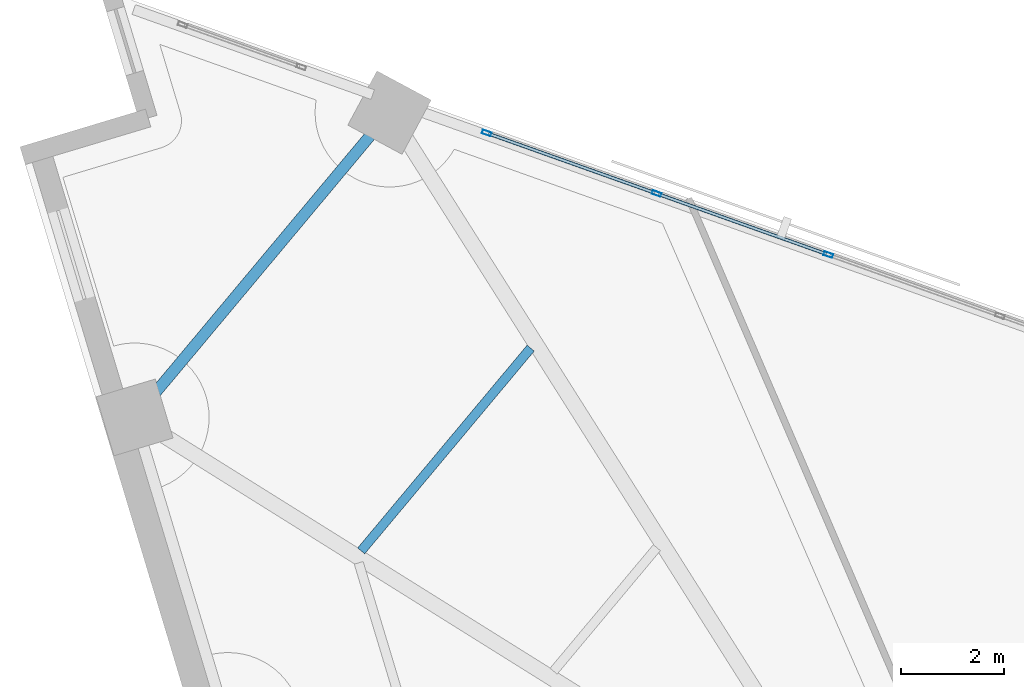
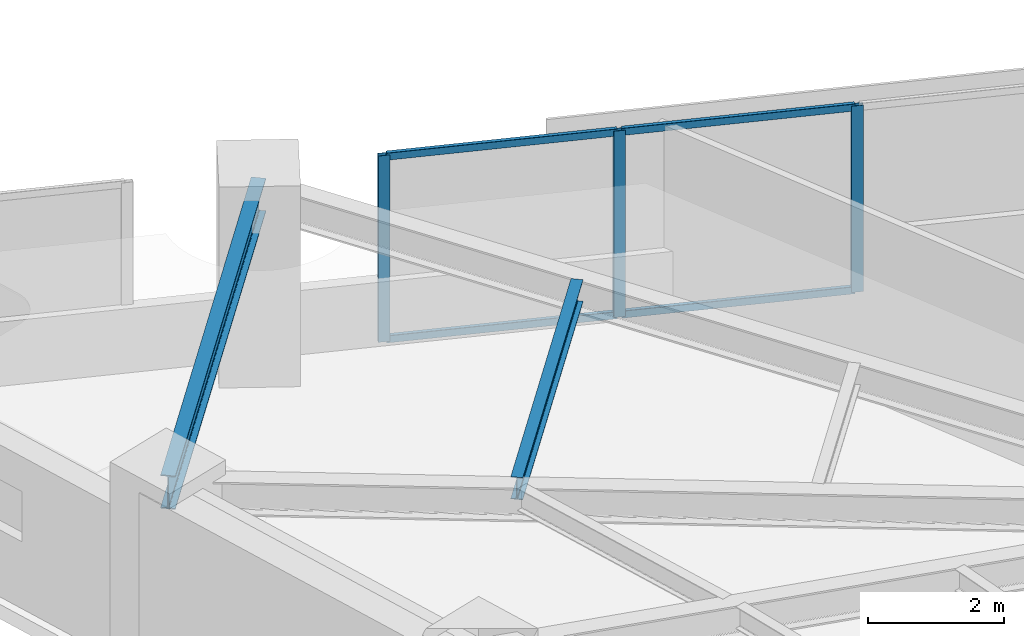
# One storey, part 6 of 14: 7 members, 2 beams, 1 element without a shape of its own.
"""IFC4 building model written with IfcOpenShell, lengths in metres."""

from ifc_helpers import new_model, si_unit, direction, frame, origin, origin_2d, place, context, subcontext, project, spatial, hollow_rectangle, i_section, extrude, material, material_profile, profile_set, type_object, element, aggregate, save


model = new_model("IFC4")

# Units and contexts
model_context = context("Model", 3, precision=1e-05, world=origin(), true_north=direction((0.0, 1.0)))
body_context = subcontext(model_context, "Body", "Model", "MODEL_VIEW")
ifc_project = project(units=[si_unit("LENGTHUNIT", "METRE"), si_unit("AREAUNIT", "SQUARE_METRE"), si_unit("VOLUMEUNIT", "CUBIC_METRE"), si_unit("PLANEANGLEUNIT", "RADIAN"), si_unit("MASSUNIT", "GRAM", prefix="KILO")], contexts=[model_context])

# Site, building, storey
site_placement = place(None, origin())
site = spatial("IfcSite", under=ifc_project, at=site_placement, CompositionType="ELEMENT")
building_placement = place(site_placement, origin())
building = spatial("IfcBuilding", under=site, at=building_placement, Name="Narakoshi Arena Tower", CompositionType="ELEMENT")
storey_placement = place(building_placement, frame((0.0, 0.0, 135.89990234375)))
storey = spatial("IfcBuildingStorey", under=building, at=storey_placement, Name="L36", CompositionType="ELEMENT", Elevation=135.89990234375)

# Beams
ifc_material_1 = material(Name="Structural steel S355J2", Category="steel")
ifc_material_profile_1 = material_profile(ifc_material_1, i_section(OverallWidth=0.219970703125, OverallDepth=0.60009765625, WebThickness=0.011962890625, FlangeThickness=0.01904296875, FilletRadius=0.02392578125, at=origin_2d()), Name="IPE600")
ifc_profile_set_1 = profile_set([ifc_material_profile_1], Name="Structural steel S355J2")
beam_type_1 = type_object("IfcBeamType", Name="BM-EDGE-600", PredefinedType="BEAM", material=ifc_profile_set_1)
beam_1_placement = place(storey_placement, frame((62.545166015625, 71.4501953125, 3.0400390625), z_axis=(-0.641406030011, -0.767201606272, 0.0), x_axis=(0.767201606272, -0.641406030011, 0.0)))
element("IfcBeam", 1, at=beam_1_placement, inside=storey, type_object=beam_type_1, Name="L36 Perimeter Edge Girder 09", PredefinedType="BEAM", context=body_context, shape_type="SweptSolid", body=[
    extrude(i_section(OverallWidth=0.219970703125, OverallDepth=0.60009765625, WebThickness=0.011962890625, FlangeThickness=0.01904296875, FilletRadius=0.02392578125, at=origin_2d()), origin(), (0.0, 0.0, 1.0), 7.73974609375),
])
ifc_material_profile_2 = material_profile(ifc_material_1, i_section(OverallWidth=0.179931640625, OverallDepth=0.39990234375, WebThickness=0.008544921875, FlangeThickness=0.013427734375, FilletRadius=0.02099609375, at=origin_2d()), Name="IPE400")
ifc_profile_set_2 = profile_set([ifc_material_profile_2], Name="Structural steel S355J2")
beam_type_2 = type_object("IfcBeamType", Name="BM-SEC-400", PredefinedType="JOIST", material=ifc_profile_set_2)
beam_2_placement = place(storey_placement, frame((65.295166015625, 66.861572265625, 3.14013671875), z_axis=(-0.641419724151, -0.767190157308, 0.0), x_axis=(0.767190157308, -0.641419724151, 0.0)))
element("IfcBeam", 2, at=beam_2_placement, inside=storey, type_object=beam_type_2, Name="L36 Composite Secondary Floor Joist 08", PredefinedType="JOIST", context=body_context, shape_type="SweptSolid", body=[
    extrude(i_section(OverallWidth=0.179931640625, OverallDepth=0.39990234375, WebThickness=0.008544921875, FlangeThickness=0.013427734375, FilletRadius=0.02099609375, at=origin_2d()), origin(), (0.0, 0.0, 1.0), 5.14794921875),
])

# Curtain wall, members
ifc_material_2 = material(Name="Anodised bronze aluminium 6063-T6", Category="aluminium")
curtain_wall_type = type_object("IfcCurtainWallType", Name="CW-HYP-MID", PredefinedType="NOTDEFINED", material=ifc_material_2)
curtain_wall_placement = place(storey_placement, origin())
curtain_wall = element("IfcCurtainWall", 3, at=curtain_wall_placement, inside=storey, type_object=curtain_wall_type, Name="L36 Folded Hypotenuse Curtain Wall 2-1", PredefinedType="NOTDEFINED")
ifc_material_profile_3 = material_profile(ifc_material_2, hollow_rectangle(XDim=0.074951171875, YDim=0.179931640625, WallThickness=0.00390625, OuterFilletRadius=0.0048828125, at=origin_2d()), Name="MUL180x75x4")
ifc_profile_set_3 = profile_set([ifc_material_profile_3], Name="Anodised bronze aluminium 6063-T6")
member_type_1 = type_object("IfcMemberType", Name="MEM-MUL-180", PredefinedType="MULLION", material=ifc_profile_set_3)
member_1_placement = place(storey_placement, frame((71.092529296875, 68.68212890625, 0.0), z_axis=(0.0, 0.0, 1.0), x_axis=(-0.335518297139, -0.94203368957, 0.0)))
member_1 = element("IfcMember", 4, at=member_1_placement, type_object=member_type_1, Name="CW-02 mullion 6", PredefinedType="MULLION", context=body_context, shape_type="SweptSolid", body=[
    extrude(hollow_rectangle(XDim=0.074951171875, YDim=0.179931640625, WallThickness=0.00390625, OuterFilletRadius=0.0048828125, at=origin_2d()), origin(), (0.0, 0.0, 1.0), 3.340087890625),
])
member_2_placement = place(storey_placement, frame((67.748046875, 69.873291015625, 0.0), z_axis=(0.0, 0.0, 1.0), x_axis=(-0.335518297139, -0.94203368957, 0.0)))
member_2 = element("IfcMember", 5, at=member_2_placement, type_object=member_type_1, Name="CW-02 mullion 7", PredefinedType="MULLION", context=body_context, shape_type="SweptSolid", body=[
    extrude(hollow_rectangle(XDim=0.074951171875, YDim=0.179931640625, WallThickness=0.00390625, OuterFilletRadius=0.0048828125, at=origin_2d()), origin(), (0.0, 0.0, 1.0), 3.340087890625),
])
member_3_placement = place(storey_placement, frame((64.438720703125, 71.052001953125, 0.0), z_axis=(0.0, 0.0, 1.0), x_axis=(-0.335518297139, -0.94203368957, 0.0)))
member_3 = element("IfcMember", 6, at=member_3_placement, type_object=member_type_1, Name="CW-02 mullion 8", PredefinedType="MULLION", context=body_context, shape_type="SweptSolid", body=[
    extrude(hollow_rectangle(XDim=0.074951171875, YDim=0.179931640625, WallThickness=0.00390625, OuterFilletRadius=0.0048828125, at=origin_2d()), origin(), (0.0, 0.0, 1.0), 3.340087890625),
])
ifc_material_profile_4 = material_profile(ifc_material_2, hollow_rectangle(XDim=0.06494140625, YDim=0.1298828125, WallThickness=0.00390625, OuterFilletRadius=0.0048828125, at=origin_2d()), Name="TRN130x65x4")
ifc_profile_set_4 = profile_set([ifc_material_profile_4], Name="Anodised bronze aluminium 6063-T6")
member_type_2 = type_object("IfcMemberType", Name="MEM-TRN-130", PredefinedType="USERDEFINED", material=ifc_profile_set_4)
member_4_placement = place(storey_placement, frame((71.05712890625, 68.694580078125, 0.03271484375), z_axis=(-0.942014960696, 0.335570877498, 0.0), x_axis=(-0.335570877498, -0.942014960696, 0.0)))
member_4 = element("IfcMember", 7, at=member_4_placement, type_object=member_type_2, Name="CW-02 transom 6.1", ObjectType="TRANSOM", PredefinedType="USERDEFINED", context=body_context, shape_type="SweptSolid", body=[
    extrude(hollow_rectangle(XDim=0.06494140625, YDim=0.1298828125, WallThickness=0.00390625, OuterFilletRadius=0.0048828125, at=origin_2d()), origin(), (0.0, 0.0, 1.0), 3.475341796875),
])
member_5_placement = place(storey_placement, frame((71.05712890625, 68.694580078125, 3.3076171875), z_axis=(-0.942014960696, 0.335570877498, 0.0), x_axis=(-0.335570877498, -0.942014960696, 0.0)))
member_5 = element("IfcMember", 8, at=member_5_placement, type_object=member_type_2, Name="CW-02 transom 6.2", ObjectType="TRANSOM", PredefinedType="USERDEFINED", context=body_context, shape_type="SweptSolid", body=[
    extrude(hollow_rectangle(XDim=0.06494140625, YDim=0.1298828125, WallThickness=0.00390625, OuterFilletRadius=0.0048828125, at=origin_2d()), origin(), (0.0, 0.0, 1.0), 3.475341796875),
])
member_6_placement = place(storey_placement, frame((67.712646484375, 69.885986328125, 0.03271484375), z_axis=(-0.942045199235, 0.335485979735, 0.0), x_axis=(-0.335485979735, -0.942045199235, 0.0)))
member_6 = element("IfcMember", 9, at=member_6_placement, type_object=member_type_2, Name="CW-02 transom 7.1", ObjectType="TRANSOM", PredefinedType="USERDEFINED", context=body_context, shape_type="SweptSolid", body=[
    extrude(hollow_rectangle(XDim=0.06494140625, YDim=0.1298828125, WallThickness=0.00390625, OuterFilletRadius=0.0048828125, at=origin_2d()), origin(), (0.0, 0.0, 1.0), 3.437744140625),
])
member_7_placement = place(storey_placement, frame((67.712646484375, 69.885986328125, 3.3076171875), z_axis=(-0.942045199235, 0.335485979735, 0.0), x_axis=(-0.335485979735, -0.942045199235, 0.0)))
member_7 = element("IfcMember", 10, at=member_7_placement, type_object=member_type_2, Name="CW-02 transom 7.2", ObjectType="TRANSOM", PredefinedType="USERDEFINED", context=body_context, shape_type="SweptSolid", body=[
    extrude(hollow_rectangle(XDim=0.06494140625, YDim=0.1298828125, WallThickness=0.00390625, OuterFilletRadius=0.0048828125, at=origin_2d()), origin(), (0.0, 0.0, 1.0), 3.437744140625),
])
aggregate(curtain_wall, [member_1, member_2, member_3, member_4, member_5, member_6, member_7])

save(model, "model.ifc")
